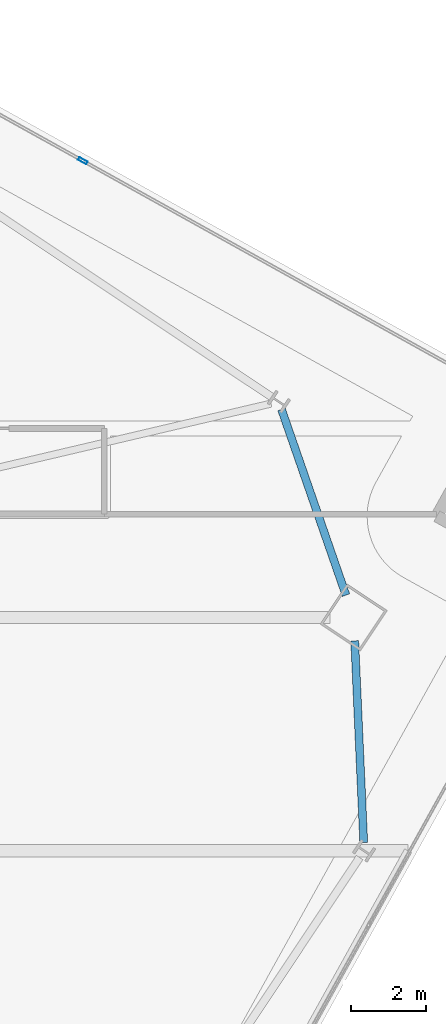
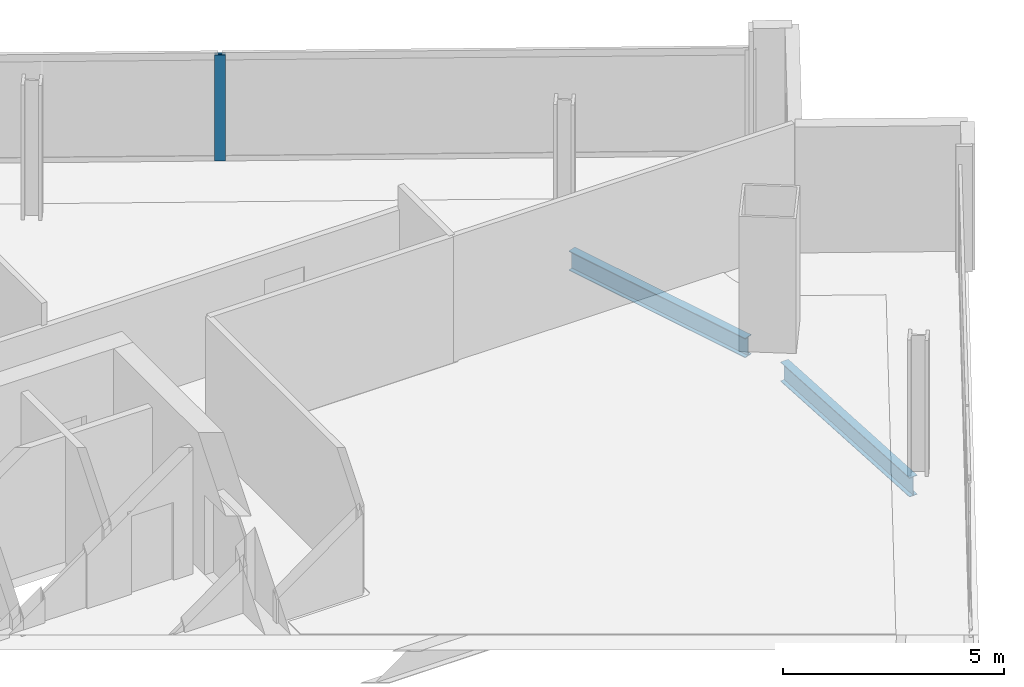
# One storey, part 16 of 28: 2 beams, 1 member, 1 element without a shape of its own.
"""IFC4 building model written with IfcOpenShell, lengths in metres."""

from ifc_helpers import new_model, si_unit, direction, frame, origin, origin_2d, place, context, subcontext, project, spatial, hollow_rectangle, i_section, extrude, material, material_profile, profile_set, type_object, element, aggregate, save


model = new_model("IFC4")

# Units and contexts
model_context = context("Model", 3, precision=1e-05, world=origin(), true_north=direction((0.0, 1.0)))
body_context = subcontext(model_context, "Body", "Model", "MODEL_VIEW")
ifc_project = project(units=[si_unit("LENGTHUNIT", "METRE"), si_unit("AREAUNIT", "SQUARE_METRE"), si_unit("VOLUMEUNIT", "CUBIC_METRE"), si_unit("PLANEANGLEUNIT", "RADIAN"), si_unit("MASSUNIT", "GRAM", prefix="KILO")], contexts=[model_context])

# Site, building, storey
site_placement = place(None, origin())
site = spatial("IfcSite", under=ifc_project, at=site_placement, CompositionType="ELEMENT")
building_placement = place(site_placement, origin())
building = spatial("IfcBuilding", under=site, at=building_placement, Name="Haldenkirk Collegiate Tower", CompositionType="ELEMENT")
storey_placement = place(building_placement, frame((0.0, 0.0, 232.199951171875)))
storey = spatial("IfcBuildingStorey", under=building, at=storey_placement, Name="L58", CompositionType="ELEMENT", Elevation=232.199951171875)

# Beams
ifc_material_1 = material(Name="Steel ASTM A992 Grade 50", Category="steel")
ifc_material_profile_1 = material_profile(ifc_material_1, i_section(OverallWidth=0.2099609375, OverallDepth=0.537109375, WebThickness=0.010986328125, FlangeThickness=0.017333984375, at=origin_2d()), Name="W21X68")
ifc_profile_set_1 = profile_set([ifc_material_profile_1], Name="Steel ASTM A992 Grade 50")
beam_type = type_object("IfcBeamType", Name="BM-SPANDREL-W21X68", PredefinedType="SPANDREL", material=ifc_profile_set_1)
beam_1_placement = place(storey_placement, frame((60.756103515625, 25.34326171875, -0.54833984375), z_axis=(-0.044622535616, 0.999003918569, 0.0), x_axis=(-0.999003918569, -0.044622535616, 0.0)))
element("IfcBeam", 1, at=beam_1_placement, inside=storey, type_object=beam_type, Name="L58 perimeter spandrel beam 04", PredefinedType="SPANDREL", context=body_context, shape_type="SweptSolid", body=[
    extrude(i_section(OverallWidth=0.2099609375, OverallDepth=0.537109375, WebThickness=0.010986328125, FlangeThickness=0.017333984375, at=origin_2d()), origin(), (0.0, 0.0, 1.0), 5.41650390625),
])
beam_2_placement = place(storey_placement, frame((60.27978515625, 31.97900390625, -0.54833984375), z_axis=(-0.327807295579, 0.944744609387, 0.0), x_axis=(-0.944744609387, -0.327807295579, 0.0)))
element("IfcBeam", 2, at=beam_2_placement, inside=storey, type_object=beam_type, Name="L58 perimeter spandrel beam 05", PredefinedType="SPANDREL", context=body_context, shape_type="SweptSolid", body=[
    extrude(i_section(OverallWidth=0.2099609375, OverallDepth=0.537109375, WebThickness=0.010986328125, FlangeThickness=0.017333984375, at=origin_2d()), origin(), (0.0, 0.0, 1.0), 5.270751953125),
])

# Curtain wall, member
ifc_material_2 = material(Name="Anodised architectural bronze aluminium", Category="aluminium")
curtain_wall_type = type_object("IfcCurtainWallType", Name="CW-SYS1B-CONVEX-HI", PredefinedType="USERDEFINED", material=ifc_material_2)
curtain_wall_placement = place(storey_placement, origin())
curtain_wall = element("IfcCurtainWall", 3, at=curtain_wall_placement, inside=storey, type_object=curtain_wall_type, Name="L58 Upper tower high-wind convex bronze unitised curtain wall", ObjectType="UNITISED CURTAIN WALL", PredefinedType="USERDEFINED")
ifc_material_profile_2 = material_profile(ifc_material_2, hollow_rectangle(XDim=0.0849609375, YDim=0.25, WallThickness=0.0048828125, at=origin_2d()), Name="CW-MUL-1B")
ifc_profile_set_2 = profile_set([ifc_material_profile_2], Name="Anodised architectural bronze aluminium")
member_type = type_object("IfcMemberType", Name="CW-MUL-1B", PredefinedType="MULLION", material=ifc_profile_set_2)
member_placement = place(storey_placement, frame((53.224365234375, 43.623291015625, 0.0), z_axis=(0.0, 0.0, 1.0), x_axis=(0.485572321883, 0.874196499776, 0.0)))
member = element("IfcMember", 4, at=member_placement, type_object=member_type, Name="CW-1B mullion 3", PredefinedType="MULLION", context=body_context, shape_type="SweptSolid", body=[
    extrude(hollow_rectangle(XDim=0.0849609375, YDim=0.25, WallThickness=0.0048828125, at=origin_2d()), origin(), (0.0, 0.0, 1.0), 2.927978515625),
])
aggregate(curtain_wall, [member])

save(model, "model.ifc")
